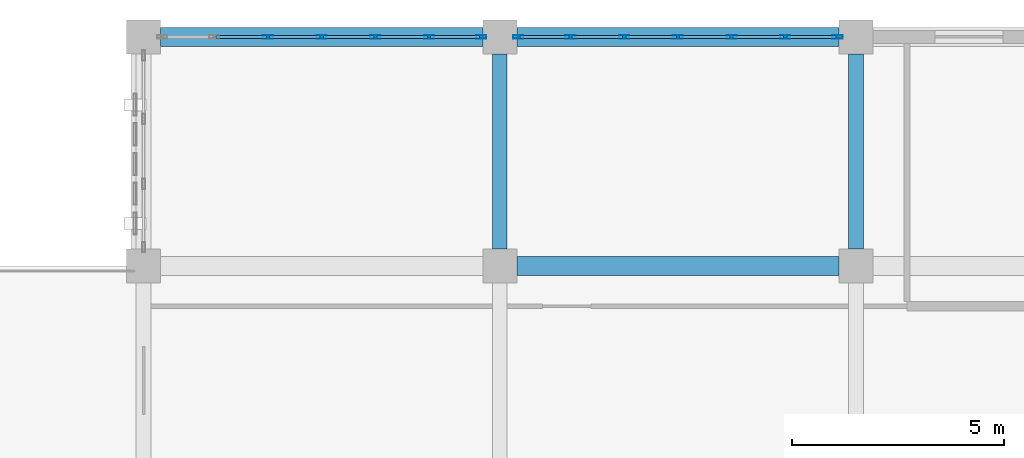
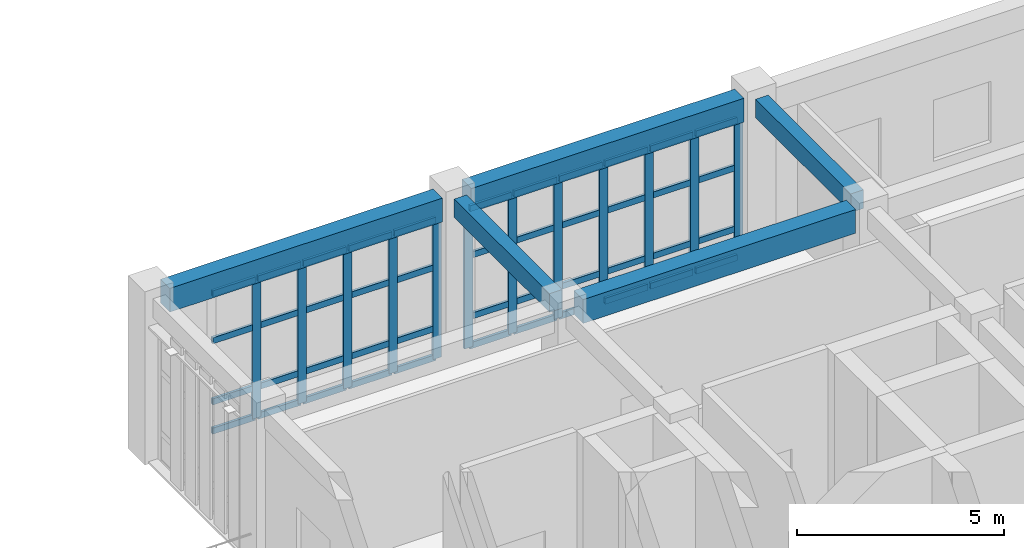
# One storey, part 51 of 93: 56 members, 5 beams, 2 elements without a shape of their own.
"""IFC4 building model written with IfcOpenShell, lengths in metres."""

from ifc_helpers import new_model, si_unit, direction, frame, origin, origin_2d, place, context, subcontext, project, spatial, rectangle, hollow_rectangle, extrude, material, layer, layer_set, material_profile, profile_set, type_object, element, aggregate, save


model = new_model("IFC4")

# Units and contexts
model_context = context("Model", 3, precision=1e-05, world=origin(), true_north=direction((0.0, 1.0)))
body_context = subcontext(model_context, "Body", "Model", "MODEL_VIEW")
ifc_project = project(units=[si_unit("LENGTHUNIT", "METRE"), si_unit("AREAUNIT", "SQUARE_METRE"), si_unit("VOLUMEUNIT", "CUBIC_METRE"), si_unit("PLANEANGLEUNIT", "RADIAN"), si_unit("MASSUNIT", "GRAM", prefix="KILO")], contexts=[model_context])

# Site, building, storey
site_placement = place(None, origin())
site = spatial("IfcSite", under=ifc_project, at=site_placement, CompositionType="ELEMENT")
building_placement = place(site_placement, origin())
building = spatial("IfcBuilding", under=site, at=building_placement, Name="Krzemoval Escarpment Law Courts", CompositionType="ELEMENT")
storey_placement = place(building_placement, frame((0.0, 0.0, 10.199951171875)))
storey = spatial("IfcBuildingStorey", under=building, at=storey_placement, Name="L02", CompositionType="ELEMENT", Elevation=10.199951171875)

# Beams
ifc_material_1 = material(Name="Concrete C40/50", Category="concrete")
ifc_material_profile_1 = material_profile(ifc_material_1, rectangle(XDim=0.35009765625, YDim=0.550048828125, at=origin_2d()), Name="RCB 350x550")
ifc_profile_set_1 = profile_set([ifc_material_profile_1], Name="Concrete C40/50")
beam_type_1 = type_object("IfcBeamType", Name="BM-RC-350x550", PredefinedType="BEAM", material=ifc_profile_set_1)
for number, where, z_axis, x_axis, name in (
    (1, (134.39990234375, 113.800048828125, 4.545166015625), (0.0, 1.0, 0.0), (-1.0, 0.0, 0.0), "Beam FG-L02-1975"),
    (2, (142.800048828125, 113.800048828125, 4.545166015625), (0.0, 1.0, 0.0), (-1.0, 0.0, 0.0), "Beam FG-L02-1986"),
):
    element("IfcBeam", number, at=place(storey_placement, frame(where, z_axis=z_axis, x_axis=x_axis)), inside=storey, type_object=beam_type_1, Name=name, PredefinedType="BEAM", context=body_context, shape_type="SweptSolid", body=[
        extrude(rectangle(XDim=0.35009765625, YDim=0.550048828125, at=origin_2d()), origin(), (0.0, 0.0, 1.0), 4.599853515625),
    ])
ifc_material_2 = material(Name="Concrete C40/50", Category="concrete")
ifc_material_profile_2 = material_profile(ifc_material_2, rectangle(XDim=0.449951171875, YDim=0.699951171875, at=origin_2d()), Name="RCB 450x700")
ifc_profile_set_2 = profile_set([ifc_material_profile_2], Name="Concrete C40/50")
beam_type_2 = type_object("IfcBeamType", Name="BM-RC-450x700", PredefinedType="BEAM", material=ifc_profile_set_2)
beam_1_placement = place(storey_placement, frame((134.800048828125, 113.39990234375, 4.469970703125), z_axis=(1.0, 0.0, 0.0), x_axis=(0.0, 1.0, 0.0)))
element("IfcBeam", 3, at=beam_1_placement, inside=storey, type_object=beam_type_2, Name="Beam FG-L02-1840", PredefinedType="BEAM", context=body_context, shape_type="SweptSolid", body=[
    extrude(rectangle(XDim=0.449951171875, YDim=0.699951171875, at=origin_2d()), origin(), (0.0, 0.0, 1.0), 7.599853515625),
])
beam_2_placement = place(storey_placement, frame((126.39990234375, 118.800048828125, 4.469970703125), z_axis=(1.0, 0.0, 0.0), x_axis=(0.0, 1.0, 0.0)))
element("IfcBeam", 4, at=beam_2_placement, inside=storey, type_object=beam_type_2, Name="Beam FG-L02-1846", PredefinedType="BEAM", context=body_context, shape_type="SweptSolid", body=[
    extrude(rectangle(XDim=0.449951171875, YDim=0.699951171875, at=origin_2d()), origin(), (0.0, 0.0, 1.0), 7.60009765625),
])
beam_3_placement = place(storey_placement, frame((134.800048828125, 118.800048828125, 4.469970703125), z_axis=(1.0, 0.0, 0.0), x_axis=(0.0, 1.0, 0.0)))
element("IfcBeam", 5, at=beam_3_placement, inside=storey, type_object=beam_type_2, Name="Beam FG-L02-1847", PredefinedType="BEAM", context=body_context, shape_type="SweptSolid", body=[
    extrude(rectangle(XDim=0.449951171875, YDim=0.699951171875, at=origin_2d()), origin(), (0.0, 0.0, 1.0), 7.599853515625),
])

# Curtain wall, members
ifc_material_3 = material(Name="Aluminium 6063-T6", Category="aluminium")
ifc_layer = layer(ifc_material_3, 0.239990234375)
ifc_layer_set = layer_set([ifc_layer], Name="Aluminium 6063-T6")
curtain_wall_type = type_object("IfcCurtainWallType", Name="CW-CHMB-4800", PredefinedType="USERDEFINED", material=ifc_layer_set)
curtain_wall_1_placement = place(storey_placement, origin())
curtain_wall_1 = element("IfcCurtainWall", 6, at=curtain_wall_1_placement, inside=storey, type_object=curtain_wall_type, Name="Unitised Curtain Wall FCW-L02-086", ObjectType="UNITISED_CURTAIN_WALL", PredefinedType="USERDEFINED")
ifc_material_4 = material(Name="Aluminium 6063-T6", Category="aluminium")
ifc_material_profile_3 = material_profile(ifc_material_4, hollow_rectangle(XDim=0.074951171875, YDim=0.239990234375, WallThickness=0.0048828125, at=origin_2d()), Name="ALU M75x240")
ifc_profile_set_3 = profile_set([ifc_material_profile_3], Name="Aluminium 6063-T6")
member_type_1 = type_object("IfcMemberType", Name="CWM-75x240", PredefinedType="MULLION", material=ifc_profile_set_3)
member_1_placement = place(storey_placement, frame((128.933349609375, 118.800048828125, 0.0), z_axis=(0.0, 0.0, 1.0), x_axis=(0.0, 1.0, 0.0)))
member_1 = element("IfcMember", 7, at=member_1_placement, type_object=member_type_1, Name="FCW-L02-086 mullion 3", PredefinedType="MULLION", context=body_context, shape_type="SweptSolid", body=[
    extrude(hollow_rectangle(XDim=0.074951171875, YDim=0.239990234375, WallThickness=0.0048828125, at=origin_2d()), origin(), (0.0, 0.0, 1.0), 4.1201171875),
])
member_2_placement = place(storey_placement, frame((130.199951171875, 118.800048828125, 0.0), z_axis=(0.0, 0.0, 1.0), x_axis=(0.0, 1.0, 0.0)))
member_2 = element("IfcMember", 8, at=member_2_placement, type_object=member_type_1, Name="FCW-L02-086 mullion 4", PredefinedType="MULLION", context=body_context, shape_type="SweptSolid", body=[
    extrude(hollow_rectangle(XDim=0.074951171875, YDim=0.239990234375, WallThickness=0.0048828125, at=origin_2d()), origin(), (0.0, 0.0, 1.0), 4.1201171875),
])
member_3_placement = place(storey_placement, frame((131.466552734375, 118.800048828125, 0.0), z_axis=(0.0, 0.0, 1.0), x_axis=(0.0, 1.0, 0.0)))
member_3 = element("IfcMember", 9, at=member_3_placement, type_object=member_type_1, Name="FCW-L02-086 mullion 5", PredefinedType="MULLION", context=body_context, shape_type="SweptSolid", body=[
    extrude(hollow_rectangle(XDim=0.074951171875, YDim=0.239990234375, WallThickness=0.0048828125, at=origin_2d()), origin(), (0.0, 0.0, 1.0), 4.1201171875),
])
member_4_placement = place(storey_placement, frame((132.7333984375, 118.800048828125, 0.0), z_axis=(0.0, 0.0, 1.0), x_axis=(0.0, 1.0, 0.0)))
member_4 = element("IfcMember", 10, at=member_4_placement, type_object=member_type_1, Name="FCW-L02-086 mullion 6", PredefinedType="MULLION", context=body_context, shape_type="SweptSolid", body=[
    extrude(hollow_rectangle(XDim=0.074951171875, YDim=0.239990234375, WallThickness=0.0048828125, at=origin_2d()), origin(), (0.0, 0.0, 1.0), 4.1201171875),
])
member_5_placement = place(storey_placement, frame((133.96240234375, 118.800048828125, 0.0), z_axis=(0.0, 0.0, 1.0), x_axis=(0.0, 1.0, 0.0)))
member_5 = element("IfcMember", 11, at=member_5_placement, type_object=member_type_1, Name="FCW-L02-086 mullion 7", PredefinedType="MULLION", context=body_context, shape_type="SweptSolid", body=[
    extrude(hollow_rectangle(XDim=0.074951171875, YDim=0.239990234375, WallThickness=0.0048828125, at=origin_2d()), origin(), (0.0, 0.0, 1.0), 4.1201171875),
])

curtain_wall_2_placement = place(storey_placement, origin())
curtain_wall_2 = element("IfcCurtainWall", 12, at=curtain_wall_2_placement, inside=storey, type_object=curtain_wall_type, Name="Unitised Curtain Wall FCW-L02-087", ObjectType="UNITISED_CURTAIN_WALL", PredefinedType="USERDEFINED")
member_6_placement = place(storey_placement, frame((134.83740234375, 118.800048828125, 0.0), z_axis=(0.0, 0.0, 1.0), x_axis=(0.0, 1.0, 0.0)))
member_6 = element("IfcMember", 13, at=member_6_placement, type_object=member_type_1, Name="FCW-L02-087 mullion 1", PredefinedType="MULLION", context=body_context, shape_type="SweptSolid", body=[
    extrude(hollow_rectangle(XDim=0.074951171875, YDim=0.239990234375, WallThickness=0.0048828125, at=origin_2d()), origin(), (0.0, 0.0, 1.0), 4.1201171875),
])
member_7_placement = place(storey_placement, frame((136.066650390625, 118.800048828125, 0.0), z_axis=(0.0, 0.0, 1.0), x_axis=(0.0, 1.0, 0.0)))
member_7 = element("IfcMember", 14, at=member_7_placement, type_object=member_type_1, Name="FCW-L02-087 mullion 2", PredefinedType="MULLION", context=body_context, shape_type="SweptSolid", body=[
    extrude(hollow_rectangle(XDim=0.074951171875, YDim=0.239990234375, WallThickness=0.0048828125, at=origin_2d()), origin(), (0.0, 0.0, 1.0), 4.1201171875),
])
member_8_placement = place(storey_placement, frame((137.333251953125, 118.800048828125, 0.0), z_axis=(0.0, 0.0, 1.0), x_axis=(0.0, 1.0, 0.0)))
member_8 = element("IfcMember", 15, at=member_8_placement, type_object=member_type_1, Name="FCW-L02-087 mullion 3", PredefinedType="MULLION", context=body_context, shape_type="SweptSolid", body=[
    extrude(hollow_rectangle(XDim=0.074951171875, YDim=0.239990234375, WallThickness=0.0048828125, at=origin_2d()), origin(), (0.0, 0.0, 1.0), 4.1201171875),
])
member_9_placement = place(storey_placement, frame((138.60009765625, 118.800048828125, 0.0), z_axis=(0.0, 0.0, 1.0), x_axis=(0.0, 1.0, 0.0)))
member_9 = element("IfcMember", 16, at=member_9_placement, type_object=member_type_1, Name="FCW-L02-087 mullion 4", PredefinedType="MULLION", context=body_context, shape_type="SweptSolid", body=[
    extrude(hollow_rectangle(XDim=0.074951171875, YDim=0.239990234375, WallThickness=0.0048828125, at=origin_2d()), origin(), (0.0, 0.0, 1.0), 4.1201171875),
])
member_10_placement = place(storey_placement, frame((139.86669921875, 118.800048828125, 0.0), z_axis=(0.0, 0.0, 1.0), x_axis=(0.0, 1.0, 0.0)))
member_10 = element("IfcMember", 17, at=member_10_placement, type_object=member_type_1, Name="FCW-L02-087 mullion 5", PredefinedType="MULLION", context=body_context, shape_type="SweptSolid", body=[
    extrude(hollow_rectangle(XDim=0.074951171875, YDim=0.239990234375, WallThickness=0.0048828125, at=origin_2d()), origin(), (0.0, 0.0, 1.0), 4.1201171875),
])
member_11_placement = place(storey_placement, frame((141.13330078125, 118.800048828125, 0.0), z_axis=(0.0, 0.0, 1.0), x_axis=(0.0, 1.0, 0.0)))
member_11 = element("IfcMember", 18, at=member_11_placement, type_object=member_type_1, Name="FCW-L02-087 mullion 6", PredefinedType="MULLION", context=body_context, shape_type="SweptSolid", body=[
    extrude(hollow_rectangle(XDim=0.074951171875, YDim=0.239990234375, WallThickness=0.0048828125, at=origin_2d()), origin(), (0.0, 0.0, 1.0), 4.1201171875),
])
member_12_placement = place(storey_placement, frame((142.362548828125, 118.800048828125, 0.0), z_axis=(0.0, 0.0, 1.0), x_axis=(0.0, 1.0, 0.0)))
member_12 = element("IfcMember", 19, at=member_12_placement, type_object=member_type_1, Name="FCW-L02-087 mullion 7", PredefinedType="MULLION", context=body_context, shape_type="SweptSolid", body=[
    extrude(hollow_rectangle(XDim=0.074951171875, YDim=0.239990234375, WallThickness=0.0048828125, at=origin_2d()), origin(), (0.0, 0.0, 1.0), 4.1201171875),
])

# Member
ifc_material_5 = material(Name="Aluminium 6063-T6", Category="aluminium")
ifc_material_profile_4 = material_profile(ifc_material_5, hollow_rectangle(XDim=0.074951171875, YDim=0.179931640625, WallThickness=0.0048828125, at=origin_2d()), Name="ALU T75x180")
ifc_profile_set_4 = profile_set([ifc_material_profile_4], Name="Aluminium 6063-T6")
member_type_2 = type_object("IfcMemberType", Name="CWT-75x180", PredefinedType="USERDEFINED", material=ifc_profile_set_4)
member_13_placement = place(storey_placement, frame((127.7041015625, 118.800048828125, 0.03759765625), z_axis=(1.0, 0.0, 0.0), x_axis=(0.0, 1.0, 0.0)))
member_13 = element("IfcMember", 20, at=member_13_placement, type_object=member_type_2, Name="FCW-L02-086 transom 2.1", ObjectType="TRANSOM", PredefinedType="USERDEFINED", context=body_context, shape_type="SweptSolid", body=[
    extrude(hollow_rectangle(XDim=0.074951171875, YDim=0.179931640625, WallThickness=0.0048828125, at=origin_2d()), origin(), (0.0, 0.0, 1.0), 1.191650390625),
])

member_14_placement = place(storey_placement, frame((127.7041015625, 118.800048828125, 0.900146484375), z_axis=(1.0, 0.0, 0.0), x_axis=(0.0, 1.0, 0.0)))
member_14 = element("IfcMember", 21, at=member_14_placement, type_object=member_type_2, Name="FCW-L02-086 transom 2.2", ObjectType="TRANSOM", PredefinedType="USERDEFINED", context=body_context, shape_type="SweptSolid", body=[
    extrude(hollow_rectangle(XDim=0.074951171875, YDim=0.179931640625, WallThickness=0.0048828125, at=origin_2d()), origin(), (0.0, 0.0, 1.0), 1.191650390625),
])

member_15_placement = place(storey_placement, frame((127.7041015625, 118.800048828125, 2.699951171875), z_axis=(1.0, 0.0, 0.0), x_axis=(0.0, 1.0, 0.0)))
member_15 = element("IfcMember", 22, at=member_15_placement, type_object=member_type_2, Name="FCW-L02-086 transom 2.3", ObjectType="TRANSOM", PredefinedType="USERDEFINED", context=body_context, shape_type="SweptSolid", body=[
    extrude(hollow_rectangle(XDim=0.074951171875, YDim=0.179931640625, WallThickness=0.0048828125, at=origin_2d()), origin(), (0.0, 0.0, 1.0), 1.191650390625),
])

member_16_placement = place(storey_placement, frame((127.7041015625, 118.800048828125, 4.08251953125), z_axis=(1.0, 0.0, 0.0), x_axis=(0.0, 1.0, 0.0)))
member_16 = element("IfcMember", 23, at=member_16_placement, type_object=member_type_2, Name="FCW-L02-086 transom 2.4", ObjectType="TRANSOM", PredefinedType="USERDEFINED", context=body_context, shape_type="SweptSolid", body=[
    extrude(hollow_rectangle(XDim=0.074951171875, YDim=0.179931640625, WallThickness=0.0048828125, at=origin_2d()), origin(), (0.0, 0.0, 1.0), 1.191650390625),
])

member_17_placement = place(storey_placement, frame((128.970947265625, 118.800048828125, 0.03759765625), z_axis=(1.0, 0.0, 0.0), x_axis=(0.0, 1.0, 0.0)))
member_17 = element("IfcMember", 24, at=member_17_placement, type_object=member_type_2, Name="FCW-L02-086 transom 3.1", ObjectType="TRANSOM", PredefinedType="USERDEFINED", context=body_context, shape_type="SweptSolid", body=[
    extrude(hollow_rectangle(XDim=0.074951171875, YDim=0.179931640625, WallThickness=0.0048828125, at=origin_2d()), origin(), (0.0, 0.0, 1.0), 1.191650390625),
])

member_18_placement = place(storey_placement, frame((128.970947265625, 118.800048828125, 0.900146484375), z_axis=(1.0, 0.0, 0.0), x_axis=(0.0, 1.0, 0.0)))
member_18 = element("IfcMember", 25, at=member_18_placement, type_object=member_type_2, Name="FCW-L02-086 transom 3.2", ObjectType="TRANSOM", PredefinedType="USERDEFINED", context=body_context, shape_type="SweptSolid", body=[
    extrude(hollow_rectangle(XDim=0.074951171875, YDim=0.179931640625, WallThickness=0.0048828125, at=origin_2d()), origin(), (0.0, 0.0, 1.0), 1.191650390625),
])

member_19_placement = place(storey_placement, frame((128.970947265625, 118.800048828125, 2.699951171875), z_axis=(1.0, 0.0, 0.0), x_axis=(0.0, 1.0, 0.0)))
member_19 = element("IfcMember", 26, at=member_19_placement, type_object=member_type_2, Name="FCW-L02-086 transom 3.3", ObjectType="TRANSOM", PredefinedType="USERDEFINED", context=body_context, shape_type="SweptSolid", body=[
    extrude(hollow_rectangle(XDim=0.074951171875, YDim=0.179931640625, WallThickness=0.0048828125, at=origin_2d()), origin(), (0.0, 0.0, 1.0), 1.191650390625),
])

member_20_placement = place(storey_placement, frame((128.970947265625, 118.800048828125, 4.08251953125), z_axis=(1.0, 0.0, 0.0), x_axis=(0.0, 1.0, 0.0)))
member_20 = element("IfcMember", 27, at=member_20_placement, type_object=member_type_2, Name="FCW-L02-086 transom 3.4", ObjectType="TRANSOM", PredefinedType="USERDEFINED", context=body_context, shape_type="SweptSolid", body=[
    extrude(hollow_rectangle(XDim=0.074951171875, YDim=0.179931640625, WallThickness=0.0048828125, at=origin_2d()), origin(), (0.0, 0.0, 1.0), 1.191650390625),
])

member_21_placement = place(storey_placement, frame((130.237548828125, 118.800048828125, 0.03759765625), z_axis=(1.0, 0.0, 0.0), x_axis=(0.0, 1.0, 0.0)))
member_21 = element("IfcMember", 28, at=member_21_placement, type_object=member_type_2, Name="FCW-L02-086 transom 4.1", ObjectType="TRANSOM", PredefinedType="USERDEFINED", context=body_context, shape_type="SweptSolid", body=[
    extrude(hollow_rectangle(XDim=0.074951171875, YDim=0.179931640625, WallThickness=0.0048828125, at=origin_2d()), origin(), (0.0, 0.0, 1.0), 1.191650390625),
])

member_22_placement = place(storey_placement, frame((130.237548828125, 118.800048828125, 0.900146484375), z_axis=(1.0, 0.0, 0.0), x_axis=(0.0, 1.0, 0.0)))
member_22 = element("IfcMember", 29, at=member_22_placement, type_object=member_type_2, Name="FCW-L02-086 transom 4.2", ObjectType="TRANSOM", PredefinedType="USERDEFINED", context=body_context, shape_type="SweptSolid", body=[
    extrude(hollow_rectangle(XDim=0.074951171875, YDim=0.179931640625, WallThickness=0.0048828125, at=origin_2d()), origin(), (0.0, 0.0, 1.0), 1.191650390625),
])

member_23_placement = place(storey_placement, frame((130.237548828125, 118.800048828125, 2.699951171875), z_axis=(1.0, 0.0, 0.0), x_axis=(0.0, 1.0, 0.0)))
member_23 = element("IfcMember", 30, at=member_23_placement, type_object=member_type_2, Name="FCW-L02-086 transom 4.3", ObjectType="TRANSOM", PredefinedType="USERDEFINED", context=body_context, shape_type="SweptSolid", body=[
    extrude(hollow_rectangle(XDim=0.074951171875, YDim=0.179931640625, WallThickness=0.0048828125, at=origin_2d()), origin(), (0.0, 0.0, 1.0), 1.191650390625),
])

member_24_placement = place(storey_placement, frame((130.237548828125, 118.800048828125, 4.08251953125), z_axis=(1.0, 0.0, 0.0), x_axis=(0.0, 1.0, 0.0)))
member_24 = element("IfcMember", 31, at=member_24_placement, type_object=member_type_2, Name="FCW-L02-086 transom 4.4", ObjectType="TRANSOM", PredefinedType="USERDEFINED", context=body_context, shape_type="SweptSolid", body=[
    extrude(hollow_rectangle(XDim=0.074951171875, YDim=0.179931640625, WallThickness=0.0048828125, at=origin_2d()), origin(), (0.0, 0.0, 1.0), 1.191650390625),
])

member_25_placement = place(storey_placement, frame((131.504150390625, 118.800048828125, 0.03759765625), z_axis=(1.0, 0.0, 0.0), x_axis=(0.0, 1.0, 0.0)))
member_25 = element("IfcMember", 32, at=member_25_placement, type_object=member_type_2, Name="FCW-L02-086 transom 5.1", ObjectType="TRANSOM", PredefinedType="USERDEFINED", context=body_context, shape_type="SweptSolid", body=[
    extrude(hollow_rectangle(XDim=0.074951171875, YDim=0.179931640625, WallThickness=0.0048828125, at=origin_2d()), origin(), (0.0, 0.0, 1.0), 1.191650390625),
])

member_26_placement = place(storey_placement, frame((131.504150390625, 118.800048828125, 0.900146484375), z_axis=(1.0, 0.0, 0.0), x_axis=(0.0, 1.0, 0.0)))
member_26 = element("IfcMember", 33, at=member_26_placement, type_object=member_type_2, Name="FCW-L02-086 transom 5.2", ObjectType="TRANSOM", PredefinedType="USERDEFINED", context=body_context, shape_type="SweptSolid", body=[
    extrude(hollow_rectangle(XDim=0.074951171875, YDim=0.179931640625, WallThickness=0.0048828125, at=origin_2d()), origin(), (0.0, 0.0, 1.0), 1.191650390625),
])

member_27_placement = place(storey_placement, frame((131.504150390625, 118.800048828125, 2.699951171875), z_axis=(1.0, 0.0, 0.0), x_axis=(0.0, 1.0, 0.0)))
member_27 = element("IfcMember", 34, at=member_27_placement, type_object=member_type_2, Name="FCW-L02-086 transom 5.3", ObjectType="TRANSOM", PredefinedType="USERDEFINED", context=body_context, shape_type="SweptSolid", body=[
    extrude(hollow_rectangle(XDim=0.074951171875, YDim=0.179931640625, WallThickness=0.0048828125, at=origin_2d()), origin(), (0.0, 0.0, 1.0), 1.191650390625),
])

member_28_placement = place(storey_placement, frame((131.504150390625, 118.800048828125, 4.08251953125), z_axis=(1.0, 0.0, 0.0), x_axis=(0.0, 1.0, 0.0)))
member_28 = element("IfcMember", 35, at=member_28_placement, type_object=member_type_2, Name="FCW-L02-086 transom 5.4", ObjectType="TRANSOM", PredefinedType="USERDEFINED", context=body_context, shape_type="SweptSolid", body=[
    extrude(hollow_rectangle(XDim=0.074951171875, YDim=0.179931640625, WallThickness=0.0048828125, at=origin_2d()), origin(), (0.0, 0.0, 1.0), 1.191650390625),
])

member_29_placement = place(storey_placement, frame((132.770751953125, 118.800048828125, 0.03759765625), z_axis=(1.0, 0.0, 0.0), x_axis=(0.0, 1.0, 0.0)))
member_29 = element("IfcMember", 36, at=member_29_placement, type_object=member_type_2, Name="FCW-L02-086 transom 6.1", ObjectType="TRANSOM", PredefinedType="USERDEFINED", context=body_context, shape_type="SweptSolid", body=[
    extrude(hollow_rectangle(XDim=0.074951171875, YDim=0.179931640625, WallThickness=0.0048828125, at=origin_2d()), origin(), (0.0, 0.0, 1.0), 1.154296875),
])

member_30_placement = place(storey_placement, frame((132.770751953125, 118.800048828125, 0.900146484375), z_axis=(1.0, 0.0, 0.0), x_axis=(0.0, 1.0, 0.0)))
member_30 = element("IfcMember", 37, at=member_30_placement, type_object=member_type_2, Name="FCW-L02-086 transom 6.2", ObjectType="TRANSOM", PredefinedType="USERDEFINED", context=body_context, shape_type="SweptSolid", body=[
    extrude(hollow_rectangle(XDim=0.074951171875, YDim=0.179931640625, WallThickness=0.0048828125, at=origin_2d()), origin(), (0.0, 0.0, 1.0), 1.154296875),
])

member_31_placement = place(storey_placement, frame((132.770751953125, 118.800048828125, 2.699951171875), z_axis=(1.0, 0.0, 0.0), x_axis=(0.0, 1.0, 0.0)))
member_31 = element("IfcMember", 38, at=member_31_placement, type_object=member_type_2, Name="FCW-L02-086 transom 6.3", ObjectType="TRANSOM", PredefinedType="USERDEFINED", context=body_context, shape_type="SweptSolid", body=[
    extrude(hollow_rectangle(XDim=0.074951171875, YDim=0.179931640625, WallThickness=0.0048828125, at=origin_2d()), origin(), (0.0, 0.0, 1.0), 1.154296875),
])

member_32_placement = place(storey_placement, frame((132.770751953125, 118.800048828125, 4.08251953125), z_axis=(1.0, 0.0, 0.0), x_axis=(0.0, 1.0, 0.0)))
member_32 = element("IfcMember", 39, at=member_32_placement, type_object=member_type_2, Name="FCW-L02-086 transom 6.4", ObjectType="TRANSOM", PredefinedType="USERDEFINED", context=body_context, shape_type="SweptSolid", body=[
    extrude(hollow_rectangle(XDim=0.074951171875, YDim=0.179931640625, WallThickness=0.0048828125, at=origin_2d()), origin(), (0.0, 0.0, 1.0), 1.154296875),
])

aggregate(curtain_wall_1, [member_1, member_2, member_3, member_4, member_5, member_13, member_14, member_15, member_16, member_17, member_18, member_19, member_20, member_21, member_22, member_23, member_24, member_25, member_26, member_27, member_28, member_29, member_30, member_31, member_32])

member_33_placement = place(storey_placement, frame((134.875, 118.800048828125, 0.03759765625), z_axis=(1.0, 0.0, 0.0), x_axis=(0.0, 1.0, 0.0)))
member_33 = element("IfcMember", 40, at=member_33_placement, type_object=member_type_2, Name="FCW-L02-087 transom 1.1", ObjectType="TRANSOM", PredefinedType="USERDEFINED", context=body_context, shape_type="SweptSolid", body=[
    extrude(hollow_rectangle(XDim=0.074951171875, YDim=0.179931640625, WallThickness=0.0048828125, at=origin_2d()), origin(), (0.0, 0.0, 1.0), 1.154052734375),
])

member_34_placement = place(storey_placement, frame((134.875, 118.800048828125, 0.900146484375), z_axis=(1.0, 0.0, 0.0), x_axis=(0.0, 1.0, 0.0)))
member_34 = element("IfcMember", 41, at=member_34_placement, type_object=member_type_2, Name="FCW-L02-087 transom 1.2", ObjectType="TRANSOM", PredefinedType="USERDEFINED", context=body_context, shape_type="SweptSolid", body=[
    extrude(hollow_rectangle(XDim=0.074951171875, YDim=0.179931640625, WallThickness=0.0048828125, at=origin_2d()), origin(), (0.0, 0.0, 1.0), 1.154052734375),
])

member_35_placement = place(storey_placement, frame((134.875, 118.800048828125, 2.699951171875), z_axis=(1.0, 0.0, 0.0), x_axis=(0.0, 1.0, 0.0)))
member_35 = element("IfcMember", 42, at=member_35_placement, type_object=member_type_2, Name="FCW-L02-087 transom 1.3", ObjectType="TRANSOM", PredefinedType="USERDEFINED", context=body_context, shape_type="SweptSolid", body=[
    extrude(hollow_rectangle(XDim=0.074951171875, YDim=0.179931640625, WallThickness=0.0048828125, at=origin_2d()), origin(), (0.0, 0.0, 1.0), 1.154052734375),
])

member_36_placement = place(storey_placement, frame((134.875, 118.800048828125, 4.08251953125), z_axis=(1.0, 0.0, 0.0), x_axis=(0.0, 1.0, 0.0)))
member_36 = element("IfcMember", 43, at=member_36_placement, type_object=member_type_2, Name="FCW-L02-087 transom 1.4", ObjectType="TRANSOM", PredefinedType="USERDEFINED", context=body_context, shape_type="SweptSolid", body=[
    extrude(hollow_rectangle(XDim=0.074951171875, YDim=0.179931640625, WallThickness=0.0048828125, at=origin_2d()), origin(), (0.0, 0.0, 1.0), 1.154052734375),
])

member_37_placement = place(storey_placement, frame((136.104248046875, 118.800048828125, 0.03759765625), z_axis=(1.0, 0.0, 0.0), x_axis=(0.0, 1.0, 0.0)))
member_37 = element("IfcMember", 44, at=member_37_placement, type_object=member_type_2, Name="FCW-L02-087 transom 2.1", ObjectType="TRANSOM", PredefinedType="USERDEFINED", context=body_context, shape_type="SweptSolid", body=[
    extrude(hollow_rectangle(XDim=0.074951171875, YDim=0.179931640625, WallThickness=0.0048828125, at=origin_2d()), origin(), (0.0, 0.0, 1.0), 1.191650390625),
])

member_38_placement = place(storey_placement, frame((136.104248046875, 118.800048828125, 0.900146484375), z_axis=(1.0, 0.0, 0.0), x_axis=(0.0, 1.0, 0.0)))
member_38 = element("IfcMember", 45, at=member_38_placement, type_object=member_type_2, Name="FCW-L02-087 transom 2.2", ObjectType="TRANSOM", PredefinedType="USERDEFINED", context=body_context, shape_type="SweptSolid", body=[
    extrude(hollow_rectangle(XDim=0.074951171875, YDim=0.179931640625, WallThickness=0.0048828125, at=origin_2d()), origin(), (0.0, 0.0, 1.0), 1.191650390625),
])

member_39_placement = place(storey_placement, frame((136.104248046875, 118.800048828125, 2.699951171875), z_axis=(1.0, 0.0, 0.0), x_axis=(0.0, 1.0, 0.0)))
member_39 = element("IfcMember", 46, at=member_39_placement, type_object=member_type_2, Name="FCW-L02-087 transom 2.3", ObjectType="TRANSOM", PredefinedType="USERDEFINED", context=body_context, shape_type="SweptSolid", body=[
    extrude(hollow_rectangle(XDim=0.074951171875, YDim=0.179931640625, WallThickness=0.0048828125, at=origin_2d()), origin(), (0.0, 0.0, 1.0), 1.191650390625),
])

member_40_placement = place(storey_placement, frame((136.104248046875, 118.800048828125, 4.08251953125), z_axis=(1.0, 0.0, 0.0), x_axis=(0.0, 1.0, 0.0)))
member_40 = element("IfcMember", 47, at=member_40_placement, type_object=member_type_2, Name="FCW-L02-087 transom 2.4", ObjectType="TRANSOM", PredefinedType="USERDEFINED", context=body_context, shape_type="SweptSolid", body=[
    extrude(hollow_rectangle(XDim=0.074951171875, YDim=0.179931640625, WallThickness=0.0048828125, at=origin_2d()), origin(), (0.0, 0.0, 1.0), 1.191650390625),
])

member_41_placement = place(storey_placement, frame((137.370849609375, 118.800048828125, 0.03759765625), z_axis=(1.0, 0.0, 0.0), x_axis=(0.0, 1.0, 0.0)))
member_41 = element("IfcMember", 48, at=member_41_placement, type_object=member_type_2, Name="FCW-L02-087 transom 3.1", ObjectType="TRANSOM", PredefinedType="USERDEFINED", context=body_context, shape_type="SweptSolid", body=[
    extrude(hollow_rectangle(XDim=0.074951171875, YDim=0.179931640625, WallThickness=0.0048828125, at=origin_2d()), origin(), (0.0, 0.0, 1.0), 1.191650390625),
])

member_42_placement = place(storey_placement, frame((137.370849609375, 118.800048828125, 0.900146484375), z_axis=(1.0, 0.0, 0.0), x_axis=(0.0, 1.0, 0.0)))
member_42 = element("IfcMember", 49, at=member_42_placement, type_object=member_type_2, Name="FCW-L02-087 transom 3.2", ObjectType="TRANSOM", PredefinedType="USERDEFINED", context=body_context, shape_type="SweptSolid", body=[
    extrude(hollow_rectangle(XDim=0.074951171875, YDim=0.179931640625, WallThickness=0.0048828125, at=origin_2d()), origin(), (0.0, 0.0, 1.0), 1.191650390625),
])

member_43_placement = place(storey_placement, frame((137.370849609375, 118.800048828125, 2.699951171875), z_axis=(1.0, 0.0, 0.0), x_axis=(0.0, 1.0, 0.0)))
member_43 = element("IfcMember", 50, at=member_43_placement, type_object=member_type_2, Name="FCW-L02-087 transom 3.3", ObjectType="TRANSOM", PredefinedType="USERDEFINED", context=body_context, shape_type="SweptSolid", body=[
    extrude(hollow_rectangle(XDim=0.074951171875, YDim=0.179931640625, WallThickness=0.0048828125, at=origin_2d()), origin(), (0.0, 0.0, 1.0), 1.191650390625),
])

member_44_placement = place(storey_placement, frame((137.370849609375, 118.800048828125, 4.08251953125), z_axis=(1.0, 0.0, 0.0), x_axis=(0.0, 1.0, 0.0)))
member_44 = element("IfcMember", 51, at=member_44_placement, type_object=member_type_2, Name="FCW-L02-087 transom 3.4", ObjectType="TRANSOM", PredefinedType="USERDEFINED", context=body_context, shape_type="SweptSolid", body=[
    extrude(hollow_rectangle(XDim=0.074951171875, YDim=0.179931640625, WallThickness=0.0048828125, at=origin_2d()), origin(), (0.0, 0.0, 1.0), 1.191650390625),
])

member_45_placement = place(storey_placement, frame((138.637451171875, 118.800048828125, 0.03759765625), z_axis=(1.0, 0.0, 0.0), x_axis=(0.0, 1.0, 0.0)))
member_45 = element("IfcMember", 52, at=member_45_placement, type_object=member_type_2, Name="FCW-L02-087 transom 4.1", ObjectType="TRANSOM", PredefinedType="USERDEFINED", context=body_context, shape_type="SweptSolid", body=[
    extrude(hollow_rectangle(XDim=0.074951171875, YDim=0.179931640625, WallThickness=0.0048828125, at=origin_2d()), origin(), (0.0, 0.0, 1.0), 1.191650390625),
])

member_46_placement = place(storey_placement, frame((138.637451171875, 118.800048828125, 0.900146484375), z_axis=(1.0, 0.0, 0.0), x_axis=(0.0, 1.0, 0.0)))
member_46 = element("IfcMember", 53, at=member_46_placement, type_object=member_type_2, Name="FCW-L02-087 transom 4.2", ObjectType="TRANSOM", PredefinedType="USERDEFINED", context=body_context, shape_type="SweptSolid", body=[
    extrude(hollow_rectangle(XDim=0.074951171875, YDim=0.179931640625, WallThickness=0.0048828125, at=origin_2d()), origin(), (0.0, 0.0, 1.0), 1.191650390625),
])

member_47_placement = place(storey_placement, frame((138.637451171875, 118.800048828125, 2.699951171875), z_axis=(1.0, 0.0, 0.0), x_axis=(0.0, 1.0, 0.0)))
member_47 = element("IfcMember", 54, at=member_47_placement, type_object=member_type_2, Name="FCW-L02-087 transom 4.3", ObjectType="TRANSOM", PredefinedType="USERDEFINED", context=body_context, shape_type="SweptSolid", body=[
    extrude(hollow_rectangle(XDim=0.074951171875, YDim=0.179931640625, WallThickness=0.0048828125, at=origin_2d()), origin(), (0.0, 0.0, 1.0), 1.191650390625),
])

member_48_placement = place(storey_placement, frame((138.637451171875, 118.800048828125, 4.08251953125), z_axis=(1.0, 0.0, 0.0), x_axis=(0.0, 1.0, 0.0)))
member_48 = element("IfcMember", 55, at=member_48_placement, type_object=member_type_2, Name="FCW-L02-087 transom 4.4", ObjectType="TRANSOM", PredefinedType="USERDEFINED", context=body_context, shape_type="SweptSolid", body=[
    extrude(hollow_rectangle(XDim=0.074951171875, YDim=0.179931640625, WallThickness=0.0048828125, at=origin_2d()), origin(), (0.0, 0.0, 1.0), 1.191650390625),
])

member_49_placement = place(storey_placement, frame((139.904052734375, 118.800048828125, 0.03759765625), z_axis=(1.0, 0.0, 0.0), x_axis=(0.0, 1.0, 0.0)))
member_49 = element("IfcMember", 56, at=member_49_placement, type_object=member_type_2, Name="FCW-L02-087 transom 5.1", ObjectType="TRANSOM", PredefinedType="USERDEFINED", context=body_context, shape_type="SweptSolid", body=[
    extrude(hollow_rectangle(XDim=0.074951171875, YDim=0.179931640625, WallThickness=0.0048828125, at=origin_2d()), origin(), (0.0, 0.0, 1.0), 1.19189453125),
])

member_50_placement = place(storey_placement, frame((139.904052734375, 118.800048828125, 0.900146484375), z_axis=(1.0, 0.0, 0.0), x_axis=(0.0, 1.0, 0.0)))
member_50 = element("IfcMember", 57, at=member_50_placement, type_object=member_type_2, Name="FCW-L02-087 transom 5.2", ObjectType="TRANSOM", PredefinedType="USERDEFINED", context=body_context, shape_type="SweptSolid", body=[
    extrude(hollow_rectangle(XDim=0.074951171875, YDim=0.179931640625, WallThickness=0.0048828125, at=origin_2d()), origin(), (0.0, 0.0, 1.0), 1.19189453125),
])

member_51_placement = place(storey_placement, frame((139.904052734375, 118.800048828125, 2.699951171875), z_axis=(1.0, 0.0, 0.0), x_axis=(0.0, 1.0, 0.0)))
member_51 = element("IfcMember", 58, at=member_51_placement, type_object=member_type_2, Name="FCW-L02-087 transom 5.3", ObjectType="TRANSOM", PredefinedType="USERDEFINED", context=body_context, shape_type="SweptSolid", body=[
    extrude(hollow_rectangle(XDim=0.074951171875, YDim=0.179931640625, WallThickness=0.0048828125, at=origin_2d()), origin(), (0.0, 0.0, 1.0), 1.19189453125),
])

member_52_placement = place(storey_placement, frame((139.904052734375, 118.800048828125, 4.08251953125), z_axis=(1.0, 0.0, 0.0), x_axis=(0.0, 1.0, 0.0)))
member_52 = element("IfcMember", 59, at=member_52_placement, type_object=member_type_2, Name="FCW-L02-087 transom 5.4", ObjectType="TRANSOM", PredefinedType="USERDEFINED", context=body_context, shape_type="SweptSolid", body=[
    extrude(hollow_rectangle(XDim=0.074951171875, YDim=0.179931640625, WallThickness=0.0048828125, at=origin_2d()), origin(), (0.0, 0.0, 1.0), 1.19189453125),
])

member_53_placement = place(storey_placement, frame((141.1708984375, 118.800048828125, 0.03759765625), z_axis=(1.0, 0.0, 0.0), x_axis=(0.0, 1.0, 0.0)))
member_53 = element("IfcMember", 60, at=member_53_placement, type_object=member_type_2, Name="FCW-L02-087 transom 6.1", ObjectType="TRANSOM", PredefinedType="USERDEFINED", context=body_context, shape_type="SweptSolid", body=[
    extrude(hollow_rectangle(XDim=0.074951171875, YDim=0.179931640625, WallThickness=0.0048828125, at=origin_2d()), origin(), (0.0, 0.0, 1.0), 1.154052734375),
])

member_54_placement = place(storey_placement, frame((141.1708984375, 118.800048828125, 0.900146484375), z_axis=(1.0, 0.0, 0.0), x_axis=(0.0, 1.0, 0.0)))
member_54 = element("IfcMember", 61, at=member_54_placement, type_object=member_type_2, Name="FCW-L02-087 transom 6.2", ObjectType="TRANSOM", PredefinedType="USERDEFINED", context=body_context, shape_type="SweptSolid", body=[
    extrude(hollow_rectangle(XDim=0.074951171875, YDim=0.179931640625, WallThickness=0.0048828125, at=origin_2d()), origin(), (0.0, 0.0, 1.0), 1.154052734375),
])

member_55_placement = place(storey_placement, frame((141.1708984375, 118.800048828125, 2.699951171875), z_axis=(1.0, 0.0, 0.0), x_axis=(0.0, 1.0, 0.0)))
member_55 = element("IfcMember", 62, at=member_55_placement, type_object=member_type_2, Name="FCW-L02-087 transom 6.3", ObjectType="TRANSOM", PredefinedType="USERDEFINED", context=body_context, shape_type="SweptSolid", body=[
    extrude(hollow_rectangle(XDim=0.074951171875, YDim=0.179931640625, WallThickness=0.0048828125, at=origin_2d()), origin(), (0.0, 0.0, 1.0), 1.154052734375),
])

member_56_placement = place(storey_placement, frame((141.1708984375, 118.800048828125, 4.08251953125), z_axis=(1.0, 0.0, 0.0), x_axis=(0.0, 1.0, 0.0)))
member_56 = element("IfcMember", 63, at=member_56_placement, type_object=member_type_2, Name="FCW-L02-087 transom 6.4", ObjectType="TRANSOM", PredefinedType="USERDEFINED", context=body_context, shape_type="SweptSolid", body=[
    extrude(hollow_rectangle(XDim=0.074951171875, YDim=0.179931640625, WallThickness=0.0048828125, at=origin_2d()), origin(), (0.0, 0.0, 1.0), 1.154052734375),
])

aggregate(curtain_wall_2, [member_6, member_7, member_8, member_9, member_10, member_11, member_12, member_33, member_34, member_35, member_36, member_37, member_38, member_39, member_40, member_41, member_42, member_43, member_44, member_45, member_46, member_47, member_48, member_49, member_50, member_51, member_52, member_53, member_54, member_55, member_56])

save(model, "model.ifc")
